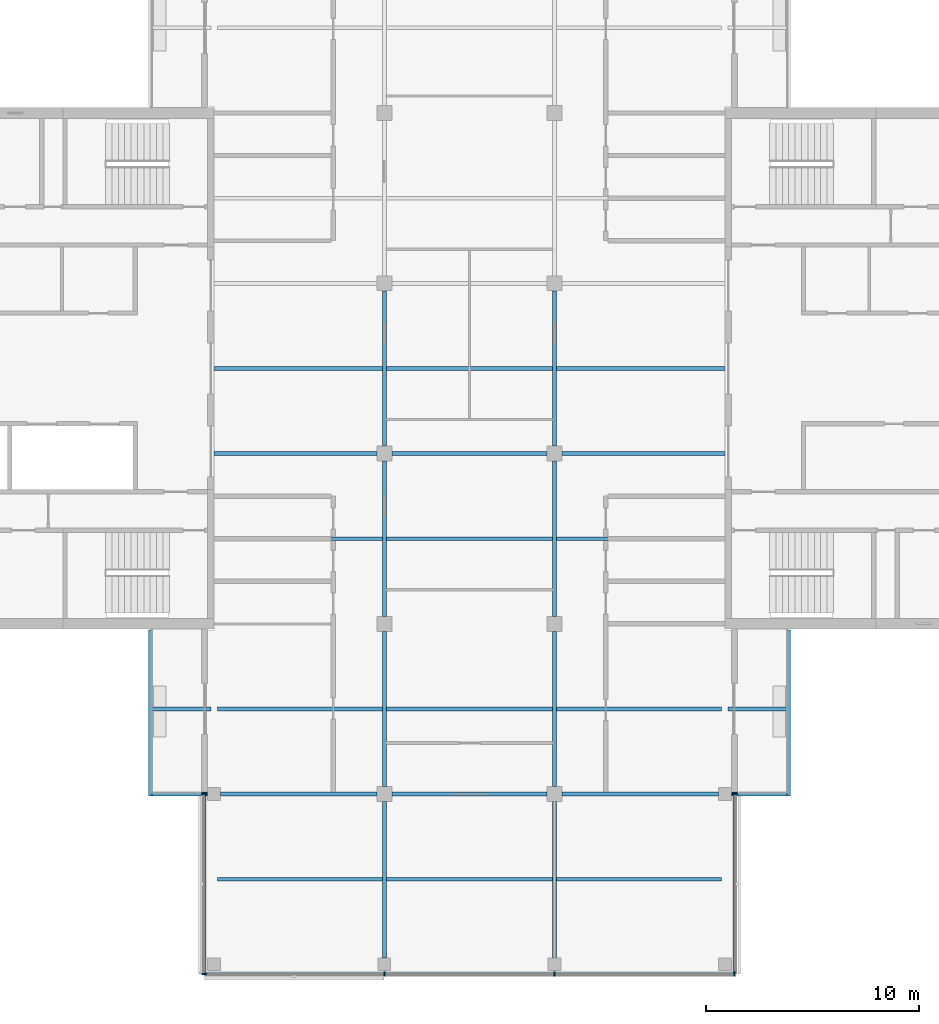
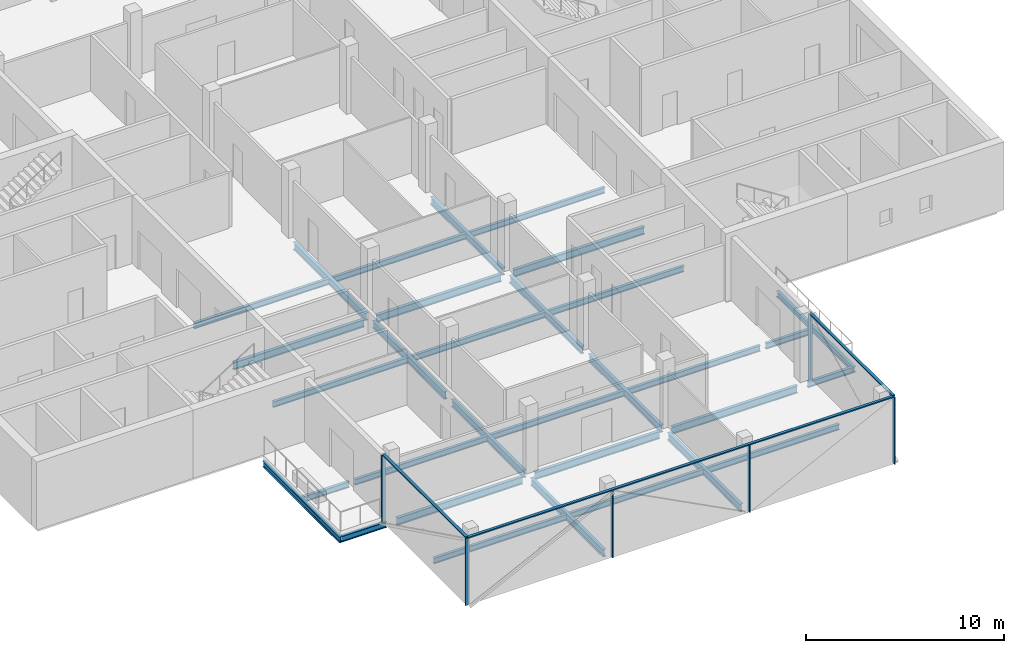
# One storey, part 2 of 12: 32 beams, 9 members, 3 elements without a shape of their own.
"""IFC4 building model written with IfcOpenShell, lengths in metres."""

from ifc_helpers import new_model, si_unit, direction, frame, origin, origin_2d, place, context, subcontext, project, spatial, rectangle, i_section, extrude, material, material_profile, profile_set, type_object, element, aggregate, save


model = new_model("IFC4")

# Units and contexts
model_context = context("Model", 3, precision=1e-05, world=origin(), true_north=direction((0.0, 1.0)))
body_context = subcontext(model_context, "Body", "Model", "MODEL_VIEW")
ifc_project = project(units=[si_unit("LENGTHUNIT", "METRE"), si_unit("AREAUNIT", "SQUARE_METRE"), si_unit("VOLUMEUNIT", "CUBIC_METRE"), si_unit("PLANEANGLEUNIT", "RADIAN"), si_unit("MASSUNIT", "GRAM", prefix="KILO")], contexts=[model_context])

# Site, building, storey
site_placement = place(None, origin())
site = spatial("IfcSite", under=ifc_project, at=site_placement, CompositionType="ELEMENT")
building_placement = place(site_placement, origin())
building = spatial("IfcBuilding", under=site, at=building_placement, Name="Crosswind Convention Tower", CompositionType="ELEMENT")
storey_placement = place(building_placement, frame((0.0, 0.0, 245.10009765625)))
storey = spatial("IfcBuildingStorey", under=building, at=storey_placement, Name="L52", CompositionType="ELEMENT", Elevation=245.10009765625)

# Beams
ifc_material_1 = material(Name="Steel S355", Category="steel")
ifc_material_profile_1 = material_profile(ifc_material_1, i_section(OverallWidth=0.172119140625, OverallDepth=0.358642578125, WebThickness=0.008056640625, FlangeThickness=0.012939453125, FilletRadius=0.01025390625, at=origin_2d()), Name="UB 356x171x57")
ifc_profile_set_1 = profile_set([ifc_material_profile_1], Name="Steel S355")
beam_type_1 = type_object("IfcBeamType", Name="Balcony cantilever UB 356x171x57", PredefinedType="BEAM", material=ifc_profile_set_1)
beam_1_placement = place(storey_placement, frame((112.843017578125, 84.0, -0.4794921875), z_axis=(-1.0, 0.0, 0.0), x_axis=(0.0, -1.0, 0.0)))
element("IfcBeam", 1, at=beam_1_placement, inside=storey, type_object=beam_type_1, Name="B34 L52 balcony cantilever SW 7", PredefinedType="BEAM", context=body_context, shape_type="SweptSolid", body=[
    extrude(i_section(OverallWidth=0.172119140625, OverallDepth=0.358642578125, WebThickness=0.008056640625, FlangeThickness=0.012939453125, FilletRadius=0.01025390625, at=origin_2d()), origin(), (0.0, 0.0, 1.0), 2.75732421875),
])
beam_2_placement = place(storey_placement, frame((112.699951171875, 80.0, -0.4794921875), z_axis=(-1.0, 0.0, 0.0), x_axis=(0.0, -1.0, 0.0)))
element("IfcBeam", 2, at=beam_2_placement, inside=storey, type_object=beam_type_1, Name="B34 L52 balcony cantilever SW 8", PredefinedType="BEAM", context=body_context, shape_type="SweptSolid", body=[
    extrude(i_section(OverallWidth=0.172119140625, OverallDepth=0.358642578125, WebThickness=0.008056640625, FlangeThickness=0.012939453125, FilletRadius=0.01025390625, at=origin_2d()), origin(), (0.0, 0.0, 1.0), 2.6142578125),
])
beam_3_placement = place(storey_placement, frame((137.156982421875, 84.0, -0.4794921875), z_axis=(1.0, 0.0, 0.0), x_axis=(0.0, 1.0, 0.0)))
element("IfcBeam", 3, at=beam_3_placement, inside=storey, type_object=beam_type_1, Name="B34 L52 balcony cantilever SE 10", PredefinedType="BEAM", context=body_context, shape_type="SweptSolid", body=[
    extrude(i_section(OverallWidth=0.172119140625, OverallDepth=0.358642578125, WebThickness=0.008056640625, FlangeThickness=0.012939453125, FilletRadius=0.01025390625, at=origin_2d()), origin(), (0.0, 0.0, 1.0), 2.75732421875),
])
beam_4_placement = place(storey_placement, frame((137.300048828125, 80.0, -0.4794921875), z_axis=(1.0, 0.0, 0.0), x_axis=(0.0, 1.0, 0.0)))
element("IfcBeam", 4, at=beam_4_placement, inside=storey, type_object=beam_type_1, Name="B34 L52 balcony cantilever SE 11", PredefinedType="BEAM", context=body_context, shape_type="SweptSolid", body=[
    extrude(i_section(OverallWidth=0.172119140625, OverallDepth=0.358642578125, WebThickness=0.008056640625, FlangeThickness=0.012939453125, FilletRadius=0.01025390625, at=origin_2d()), origin(), (0.0, 0.0, 1.0), 2.6142578125),
])
ifc_material_profile_2 = material_profile(ifc_material_1, i_section(OverallWidth=0.17138671875, OverallDepth=0.355712890625, WebThickness=0.00732421875, FlangeThickness=0.011474609375, FilletRadius=0.01025390625, at=origin_2d()), Name="UB 356x171x51")
ifc_profile_set_2 = profile_set([ifc_material_profile_2], Name="Steel S355")
beam_type_2 = type_object("IfcBeamType", Name="Balcony edge beam UB 356x171x51", PredefinedType="BEAM", material=ifc_profile_set_2)
for number, where, z_axis, x_axis, name in (
    (5, (110.0, 87.699951171875, -0.477783203125), (0.0, -1.0, 0.0), (1.0, 0.0, 0.0), "B38 L52 balcony edge beam SW 9"),
    (6, (140.0, 87.699951171875, -0.477783203125), (0.0, -1.0, 0.0), (1.0, 0.0, 0.0), "B38 L52 balcony edge beam SE 12"),
):
    element("IfcBeam", number, at=place(storey_placement, frame(where, z_axis=z_axis, x_axis=x_axis)), inside=storey, type_object=beam_type_2, Name=name, PredefinedType="BEAM", context=body_context, shape_type="SweptSolid", body=[
        extrude(i_section(OverallWidth=0.17138671875, OverallDepth=0.355712890625, WebThickness=0.00732421875, FlangeThickness=0.011474609375, FilletRadius=0.01025390625, at=origin_2d()), origin(), (0.0, 0.0, 1.0), 7.785888671875),
    ])
ifc_material_profile_3 = material_profile(ifc_material_1, i_section(OverallWidth=0.18994140625, OverallDepth=0.45361328125, WebThickness=0.008544921875, FlangeThickness=0.0126953125, FilletRadius=0.01025390625, at=origin_2d()), Name="UB 457x191x67")
ifc_profile_set_3 = profile_set([ifc_material_profile_3], Name="Steel S355")
beam_type_3 = type_object("IfcBeamType", Name="Girder UB 457x191x67", PredefinedType="BEAM", material=ifc_profile_set_3)
for number, where, z_axis, x_axis, name in (
    (7, (113.300048828125, 80.0, -0.52685546875), (1.0, 0.0, 0.0), (0.0, 1.0, 0.0), "B1 L52 girder 1"),
    (8, (121.0, 72.300048828125, -0.52685546875), (0.0, 1.0, 0.0), (-1.0, 0.0, 0.0), "B1 L52 girder 3"),
):
    element("IfcBeam", number, at=place(storey_placement, frame(where, z_axis=z_axis, x_axis=x_axis)), inside=storey, type_object=beam_type_3, Name=name, PredefinedType="BEAM", context=body_context, shape_type="SweptSolid", body=[
        extrude(i_section(OverallWidth=0.18994140625, OverallDepth=0.45361328125, WebThickness=0.008544921875, FlangeThickness=0.0126953125, FilletRadius=0.01025390625, at=origin_2d()), origin(), (0.0, 0.0, 1.0), 7.349853515625),
    ])
for number, where, z_axis, x_axis, name in (
    (9, (121.0, 80.35009765625, -0.52685546875), (0.0, 1.0, 0.0), (-1.0, 0.0, 0.0), "B1 L52 girder 4"),
    (10, (121.0, 88.35009765625, -0.52685546875), (0.0, 1.0, 0.0), (-1.0, 0.0, 0.0), "B1 L52 girder 5"),
    (11, (121.0, 96.35009765625, -0.52685546875), (0.0, 1.0, 0.0), (-1.0, 0.0, 0.0), "B1 L52 girder 6"),
    (12, (121.35009765625, 80.0, -0.52685546875), (1.0, 0.0, 0.0), (0.0, 1.0, 0.0), "B1 L52 girder 10"),
    (13, (121.35009765625, 96.0, -0.52685546875), (1.0, 0.0, 0.0), (0.0, 1.0, 0.0), "B1 L52 girder 11"),
):
    element("IfcBeam", number, at=place(storey_placement, frame(where, z_axis=z_axis, x_axis=x_axis)), inside=storey, type_object=beam_type_3, Name=name, PredefinedType="BEAM", context=body_context, shape_type="SweptSolid", body=[
        extrude(i_section(OverallWidth=0.18994140625, OverallDepth=0.45361328125, WebThickness=0.008544921875, FlangeThickness=0.0126953125, FilletRadius=0.01025390625, at=origin_2d()), origin(), (0.0, 0.0, 1.0), 7.2998046875),
    ])
beam_5_placement = place(storey_placement, frame((129.0, 72.300048828125, -0.52685546875), z_axis=(0.0, 1.0, 0.0), x_axis=(-1.0, 0.0, 0.0)))
element("IfcBeam", 14, at=beam_5_placement, inside=storey, type_object=beam_type_3, Name="B1 L52 girder 14", PredefinedType="BEAM", context=body_context, shape_type="SweptSolid", body=[
    extrude(i_section(OverallWidth=0.18994140625, OverallDepth=0.45361328125, WebThickness=0.008544921875, FlangeThickness=0.0126953125, FilletRadius=0.01025390625, at=origin_2d()), origin(), (0.0, 0.0, 1.0), 7.349853515625),
])
for number, where, z_axis, x_axis, name in (
    (15, (129.0, 80.35009765625, -0.52685546875), (0.0, 1.0, 0.0), (-1.0, 0.0, 0.0), "B1 L52 girder 15"),
    (16, (129.0, 88.35009765625, -0.52685546875), (0.0, 1.0, 0.0), (-1.0, 0.0, 0.0), "B1 L52 girder 16"),
    (17, (129.0, 96.35009765625, -0.52685546875), (0.0, 1.0, 0.0), (-1.0, 0.0, 0.0), "B1 L52 girder 17"),
):
    element("IfcBeam", number, at=place(storey_placement, frame(where, z_axis=z_axis, x_axis=x_axis)), inside=storey, type_object=beam_type_3, Name=name, PredefinedType="BEAM", context=body_context, shape_type="SweptSolid", body=[
        extrude(i_section(OverallWidth=0.18994140625, OverallDepth=0.45361328125, WebThickness=0.008544921875, FlangeThickness=0.0126953125, FilletRadius=0.01025390625, at=origin_2d()), origin(), (0.0, 0.0, 1.0), 7.2998046875),
    ])
beam_6_placement = place(storey_placement, frame((129.35009765625, 80.0, -0.52685546875), z_axis=(1.0, 0.0, 0.0), x_axis=(0.0, 1.0, 0.0)))
element("IfcBeam", 18, at=beam_6_placement, inside=storey, type_object=beam_type_3, Name="B1 L52 girder 21", PredefinedType="BEAM", context=body_context, shape_type="SweptSolid", body=[
    extrude(i_section(OverallWidth=0.18994140625, OverallDepth=0.45361328125, WebThickness=0.008544921875, FlangeThickness=0.0126953125, FilletRadius=0.01025390625, at=origin_2d()), origin(), (0.0, 0.0, 1.0), 7.349853515625),
])
ifc_material_profile_4 = material_profile(ifc_material_1, i_section(OverallWidth=0.1904296875, OverallDepth=0.457275390625, WebThickness=0.009033203125, FlangeThickness=0.014404296875, FilletRadius=0.01025390625, at=origin_2d()), Name="UB 457x191x75")
ifc_profile_set_4 = profile_set([ifc_material_profile_4], Name="Steel S355")
beam_type_4 = type_object("IfcBeamType", Name="Girder at core wall UB 457x191x75", PredefinedType="BEAM", material=ifc_profile_set_4)
for number, where, z_axis, x_axis, name in (
    (19, (113.0, 96.0, -0.52880859375), (1.0, 0.0, 0.0), (0.0, 1.0, 0.0), "B22 L52 girder at core wall 1"),
    (20, (129.35009765625, 96.0, -0.52880859375), (1.0, 0.0, 0.0), (0.0, 1.0, 0.0), "B22 L52 girder at core wall 3"),
):
    element("IfcBeam", number, at=place(storey_placement, frame(where, z_axis=z_axis, x_axis=x_axis)), inside=storey, type_object=beam_type_4, Name=name, PredefinedType="BEAM", context=body_context, shape_type="SweptSolid", body=[
        extrude(i_section(OverallWidth=0.1904296875, OverallDepth=0.457275390625, WebThickness=0.009033203125, FlangeThickness=0.014404296875, FilletRadius=0.01025390625, at=origin_2d()), origin(), (0.0, 0.0, 1.0), 7.64990234375),
    ])

# Curtain wall, members
ifc_material_2 = material(Name="Aluminium unitised curtain wall", Category="aluminium")
curtain_wall_type = type_object("IfcCurtainWallType", Name="OFFICE UNITISED WALL 220", PredefinedType="USERDEFINED", material=ifc_material_2)
curtain_wall_1_placement = place(storey_placement, origin())
curtain_wall_1 = element("IfcCurtainWall", 21, at=curtain_wall_1_placement, inside=storey, type_object=curtain_wall_type, Name="CW3 L52 S-W 1", ObjectType="UNITISED", PredefinedType="USERDEFINED")
ifc_material_3 = material(Name="Aluminium mullion", Category="aluminium")
ifc_material_profile_5 = material_profile(ifc_material_3, rectangle(XDim=0.219970703125, YDim=0.070068359375, at=origin_2d()), Name="AL 220X70")
ifc_profile_set_5 = profile_set([ifc_material_profile_5], Name="Aluminium mullion")
member_type_1 = type_object("IfcMemberType", Name="MULLION 70X220", PredefinedType="MULLION", material=ifc_profile_set_5)
member_1_placement = place(storey_placement, frame((112.5400390625, 80.0, -0.300048828125), z_axis=(0.0, 0.0, 1.0), x_axis=(-1.0, 0.0, 0.0)))
member_1 = element("IfcMember", 22, at=member_1_placement, type_object=member_type_1, Name="CW3 mullion 1", PredefinedType="MULLION", context=body_context, shape_type="SweptSolid", body=[
    extrude(rectangle(XDim=0.219970703125, YDim=0.070068359375, at=origin_2d()), origin(), (0.0, 0.0, 1.0), 4.1298828125),
])
member_2_placement = place(storey_placement, frame((112.5400390625, 71.5400390625, -0.300048828125), z_axis=(0.0, 0.0, 1.0), x_axis=(-1.0, 0.0, 0.0)))
member_2 = element("IfcMember", 23, at=member_2_placement, type_object=member_type_1, Name="CW3 mullion 2", PredefinedType="MULLION", context=body_context, shape_type="SweptSolid", body=[
    extrude(rectangle(XDim=0.219970703125, YDim=0.070068359375, at=origin_2d()), origin(), (0.0, 0.0, 1.0), 4.1298828125),
])

curtain_wall_2_placement = place(storey_placement, origin())
curtain_wall_2 = element("IfcCurtainWall", 24, at=curtain_wall_2_placement, inside=storey, type_object=curtain_wall_type, Name="CW3 L52 S-TIP 1", ObjectType="UNITISED", PredefinedType="USERDEFINED")
member_3_placement = place(storey_placement, frame((121.0, 71.5400390625, -0.300048828125), z_axis=(0.0, 0.0, 1.0), x_axis=(0.0, -1.0, 0.0)))
member_3 = element("IfcMember", 25, at=member_3_placement, type_object=member_type_1, Name="CW3 mullion 2", PredefinedType="MULLION", context=body_context, shape_type="SweptSolid", body=[
    extrude(rectangle(XDim=0.219970703125, YDim=0.070068359375, at=origin_2d()), origin(), (0.0, 0.0, 1.0), 4.1298828125),
])
member_4_placement = place(storey_placement, frame((129.0, 71.5400390625, -0.300048828125), z_axis=(0.0, 0.0, 1.0), x_axis=(0.0, -1.0, 0.0)))
member_4 = element("IfcMember", 26, at=member_4_placement, type_object=member_type_1, Name="CW3 mullion 3", PredefinedType="MULLION", context=body_context, shape_type="SweptSolid", body=[
    extrude(rectangle(XDim=0.219970703125, YDim=0.070068359375, at=origin_2d()), origin(), (0.0, 0.0, 1.0), 4.1298828125),
])
member_5_placement = place(storey_placement, frame((137.4599609375, 71.5400390625, -0.300048828125), z_axis=(0.0, 0.0, 1.0), x_axis=(0.0, -1.0, 0.0)))
member_5 = element("IfcMember", 27, at=member_5_placement, type_object=member_type_1, Name="CW3 mullion 4", PredefinedType="MULLION", context=body_context, shape_type="SweptSolid", body=[
    extrude(rectangle(XDim=0.219970703125, YDim=0.070068359375, at=origin_2d()), origin(), (0.0, 0.0, 1.0), 4.1298828125),
])

# Curtain wall, member
curtain_wall_3_placement = place(storey_placement, origin())
curtain_wall_3 = element("IfcCurtainWall", 28, at=curtain_wall_3_placement, inside=storey, type_object=curtain_wall_type, Name="CW3 L52 S-E 1", ObjectType="UNITISED", PredefinedType="USERDEFINED")
member_6_placement = place(storey_placement, frame((137.4599609375, 80.0, -0.300048828125), z_axis=(0.0, 0.0, 1.0), x_axis=(1.0, 0.0, 0.0)))
member_6 = element("IfcMember", 29, at=member_6_placement, type_object=member_type_1, Name="CW3 mullion 2", PredefinedType="MULLION", context=body_context, shape_type="SweptSolid", body=[
    extrude(rectangle(XDim=0.219970703125, YDim=0.070068359375, at=origin_2d()), origin(), (0.0, 0.0, 1.0), 4.1298828125),
])

# Beams
ifc_material_profile_6 = material_profile(ifc_material_1, i_section(OverallWidth=0.17138671875, OverallDepth=0.355712890625, WebThickness=0.00732421875, FlangeThickness=0.011474609375, FilletRadius=0.01025390625, at=origin_2d()), Name="UB 356x171x51")
ifc_profile_set_6 = profile_set([ifc_material_profile_6], Name="Steel S355")
beam_type_5 = type_object("IfcBeamType", Name="Secondary beam UB 356x171x51", PredefinedType="JOIST", material=ifc_profile_set_6)
for number, where, z_axis, x_axis, name in (
    (30, (113.0, 92.0, -0.477783203125), (1.0, 0.0, 0.0), (0.0, 1.0, 0.0), "B8 L52 secondary beam 1"),
    (31, (113.0, 100.0, -0.477783203125), (1.0, 0.0, 0.0), (0.0, 1.0, 0.0), "B8 L52 secondary beam 2"),
):
    element("IfcBeam", number, at=place(storey_placement, frame(where, z_axis=z_axis, x_axis=x_axis)), inside=storey, type_object=beam_type_5, Name=name, PredefinedType="JOIST", context=body_context, shape_type="SweptSolid", body=[
        extrude(i_section(OverallWidth=0.17138671875, OverallDepth=0.355712890625, WebThickness=0.00732421875, FlangeThickness=0.011474609375, FilletRadius=0.01025390625, at=origin_2d()), origin(), (0.0, 0.0, 1.0), 7.905029296875),
    ])
for number, where, z_axis, x_axis, name in (
    (32, (113.156982421875, 76.0, -0.477783203125), (1.0, 0.0, 0.0), (0.0, 1.0, 0.0), "B8 L52 secondary beam 4"),
    (33, (113.156982421875, 84.0, -0.477783203125), (1.0, 0.0, 0.0), (0.0, 1.0, 0.0), "B8 L52 secondary beam 5"),
):
    element("IfcBeam", number, at=place(storey_placement, frame(where, z_axis=z_axis, x_axis=x_axis)), inside=storey, type_object=beam_type_5, Name=name, PredefinedType="JOIST", context=body_context, shape_type="SweptSolid", body=[
        extrude(i_section(OverallWidth=0.17138671875, OverallDepth=0.355712890625, WebThickness=0.00732421875, FlangeThickness=0.011474609375, FilletRadius=0.01025390625, at=origin_2d()), origin(), (0.0, 0.0, 1.0), 7.748046875),
    ])
for number, where, z_axis, x_axis, name in (
    (34, (121.094970703125, 76.0, -0.477783203125), (1.0, 0.0, 0.0), (0.0, 1.0, 0.0), "B8 L52 secondary beam 8"),
    (35, (121.094970703125, 84.0, -0.477783203125), (1.0, 0.0, 0.0), (0.0, 1.0, 0.0), "B8 L52 secondary beam 9"),
    (36, (121.094970703125, 92.0, -0.477783203125), (1.0, 0.0, 0.0), (0.0, 1.0, 0.0), "B8 L52 secondary beam 10"),
    (37, (121.094970703125, 100.0, -0.477783203125), (1.0, 0.0, 0.0), (0.0, 1.0, 0.0), "B8 L52 secondary beam 11"),
):
    element("IfcBeam", number, at=place(storey_placement, frame(where, z_axis=z_axis, x_axis=x_axis)), inside=storey, type_object=beam_type_5, Name=name, PredefinedType="JOIST", context=body_context, shape_type="SweptSolid", body=[
        extrude(i_section(OverallWidth=0.17138671875, OverallDepth=0.355712890625, WebThickness=0.00732421875, FlangeThickness=0.011474609375, FilletRadius=0.01025390625, at=origin_2d()), origin(), (0.0, 0.0, 1.0), 7.81005859375),
    ])
for number, where, z_axis, x_axis, name in (
    (38, (129.094970703125, 76.0, -0.477783203125), (1.0, 0.0, 0.0), (0.0, 1.0, 0.0), "B8 L52 secondary beam 15"),
    (39, (129.094970703125, 84.0, -0.477783203125), (1.0, 0.0, 0.0), (0.0, 1.0, 0.0), "B8 L52 secondary beam 16"),
):
    element("IfcBeam", number, at=place(storey_placement, frame(where, z_axis=z_axis, x_axis=x_axis)), inside=storey, type_object=beam_type_5, Name=name, PredefinedType="JOIST", context=body_context, shape_type="SweptSolid", body=[
        extrude(i_section(OverallWidth=0.17138671875, OverallDepth=0.355712890625, WebThickness=0.00732421875, FlangeThickness=0.011474609375, FilletRadius=0.01025390625, at=origin_2d()), origin(), (0.0, 0.0, 1.0), 7.748046875),
    ])
for number, where, z_axis, x_axis, name in (
    (40, (129.094970703125, 92.0, -0.477783203125), (1.0, 0.0, 0.0), (0.0, 1.0, 0.0), "B8 L52 secondary beam 17"),
    (41, (129.094970703125, 100.0, -0.477783203125), (1.0, 0.0, 0.0), (0.0, 1.0, 0.0), "B8 L52 secondary beam 18"),
):
    element("IfcBeam", number, at=place(storey_placement, frame(where, z_axis=z_axis, x_axis=x_axis)), inside=storey, type_object=beam_type_5, Name=name, PredefinedType="JOIST", context=body_context, shape_type="SweptSolid", body=[
        extrude(i_section(OverallWidth=0.17138671875, OverallDepth=0.355712890625, WebThickness=0.00732421875, FlangeThickness=0.011474609375, FilletRadius=0.01025390625, at=origin_2d()), origin(), (0.0, 0.0, 1.0), 7.905029296875),
    ])

# Member
ifc_material_4 = material(Name="Aluminium transom", Category="aluminium")
ifc_material_profile_7 = material_profile(ifc_material_4, rectangle(XDim=0.159912109375, YDim=0.070068359375, at=origin_2d()), Name="AL 160X70")
ifc_profile_set_7 = profile_set([ifc_material_profile_7], Name="Aluminium transom")
member_type_2 = type_object("IfcMemberType", Name="TRANSOM 70X160", PredefinedType="USERDEFINED", material=ifc_profile_set_7)
member_7_placement = place(storey_placement, frame((112.5400390625, 79.965087890625, 3.864990234375), z_axis=(0.0, -1.0, 0.0), x_axis=(1.0, 0.0, 0.0)))
member_7 = element("IfcMember", 42, at=member_7_placement, type_object=member_type_2, Name="CW3 transom", ObjectType="TRANSOM", PredefinedType="USERDEFINED", context=body_context, shape_type="SweptSolid", body=[
    extrude(rectangle(XDim=0.159912109375, YDim=0.070068359375, at=origin_2d()), origin(), (0.0, 0.0, 1.0), 8.39013671875),
])

aggregate(curtain_wall_1, [member_1, member_2, member_7])

member_8_placement = place(storey_placement, frame((112.574951171875, 71.5400390625, 3.864990234375), z_axis=(1.0, 0.0, 0.0), x_axis=(0.0, 1.0, 0.0)))
member_8 = element("IfcMember", 43, at=member_8_placement, type_object=member_type_2, Name="CW3 transom", ObjectType="TRANSOM", PredefinedType="USERDEFINED", context=body_context, shape_type="SweptSolid", body=[
    extrude(rectangle(XDim=0.159912109375, YDim=0.070068359375, at=origin_2d()), origin(), (0.0, 0.0, 1.0), 24.85009765625),
])

aggregate(curtain_wall_2, [member_3, member_4, member_5, member_8])

member_9_placement = place(storey_placement, frame((137.4599609375, 71.574951171875, 3.864990234375), z_axis=(0.0, 1.0, 0.0), x_axis=(-1.0, 0.0, 0.0)))
member_9 = element("IfcMember", 44, at=member_9_placement, type_object=member_type_2, Name="CW3 transom", ObjectType="TRANSOM", PredefinedType="USERDEFINED", context=body_context, shape_type="SweptSolid", body=[
    extrude(rectangle(XDim=0.159912109375, YDim=0.070068359375, at=origin_2d()), origin(), (0.0, 0.0, 1.0), 8.39013671875),
])

aggregate(curtain_wall_3, [member_6, member_9])

save(model, "model.ifc")
